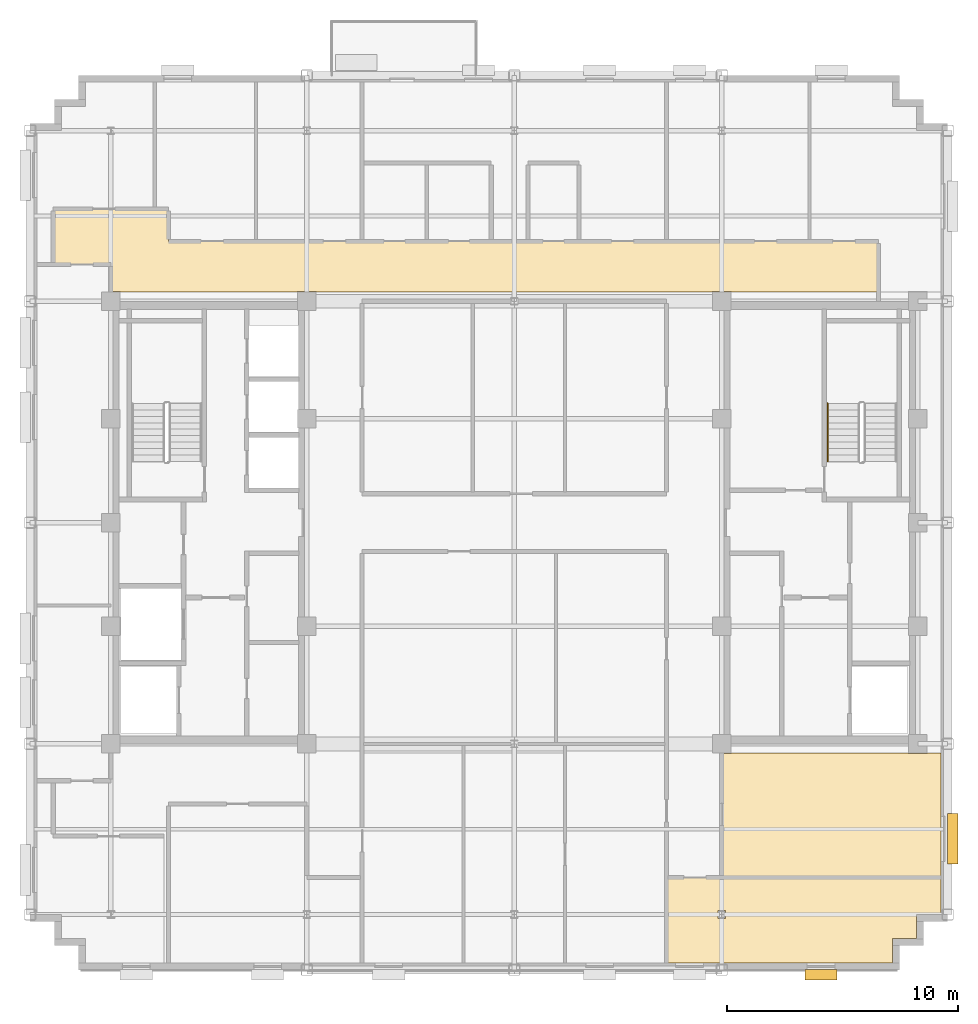
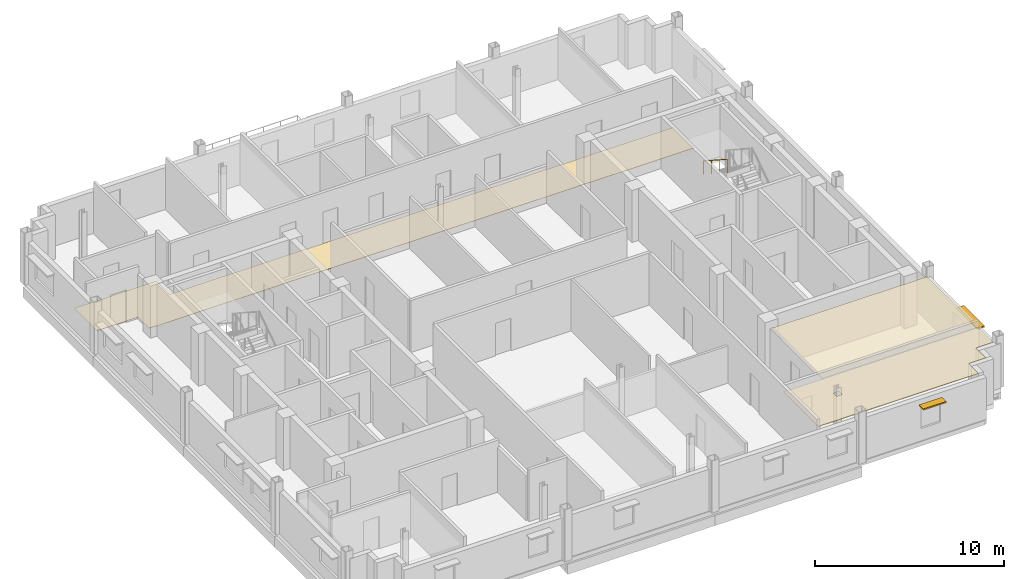
# One storey, part 12 of 14: 3 coverings, 2 shading devices, 1 railing.
"""IFC4 building model written with IfcOpenShell, lengths in metres."""

from ifc_helpers import new_model, si_unit, direction, frame, origin, origin_2d, place, context, subcontext, project, spatial, polyline, rectangle, circle, outline, extrude, source, transform, mapped, material, layer, layer_set, type_object, type_shapes, element, save


model = new_model("IFC4")

# Units and contexts
model_context = context("Model", 3, precision=1e-05, world=origin(), true_north=direction((0.0, 1.0)))
body_context = subcontext(model_context, "Body", "Model", "MODEL_VIEW")
ifc_project = project(units=[si_unit("LENGTHUNIT", "METRE"), si_unit("AREAUNIT", "SQUARE_METRE"), si_unit("VOLUMEUNIT", "CUBIC_METRE"), si_unit("PLANEANGLEUNIT", "RADIAN"), si_unit("MASSUNIT", "GRAM", prefix="KILO")], contexts=[model_context])

# Site, building, storey
site_placement = place(None, origin())
site = spatial("IfcSite", under=ifc_project, at=site_placement, CompositionType="ELEMENT")
building_placement = place(site_placement, origin())
building = spatial("IfcBuilding", under=site, at=building_placement, Name="Nuvemarco Arch Tower", CompositionType="ELEMENT")
storey_placement = place(building_placement, frame((0.0, 0.0, 272.550048828125)))
storey = spatial("IfcBuildingStorey", under=building, at=storey_placement, Name="L72", CompositionType="ELEMENT", Elevation=272.550048828125)

# Coverings
ifc_material_1 = material(Name="Mineral acoustic ceiling tile")
ifc_layer_1 = layer(ifc_material_1, 0.0400390625, Name="COV-ACOUSTIC-CLG")
ifc_layer_set_1 = layer_set([ifc_layer_1], Name="Mineral acoustic ceiling tile")
covering_type_1 = type_object("IfcCoveringType", Name="COV-ACOUSTIC-CLG", PredefinedType="CEILING", material=ifc_layer_set_1)
covering_1_placement = place(storey_placement, frame((0.0, 0.0, 2.849853515625)))
element("IfcCovering", 1, at=covering_1_placement, inside=storey, type_object=covering_type_1, Name="L72 suspended acoustic ceiling 2", PredefinedType="CEILING", context=body_context, shape_type="SweptSolid", body=[
    extrude(outline(polyline([(17.0849609375, -10.014892578125), (17.9150390625, -10.014892578125), (17.9150390625, -10.0), (18.5, -10.0), (18.5, -15.39990234375), (9.0, -15.39990234375), (9.0, -10.014892578125), (9.4150390625, -10.014892578125), (9.4150390625, -10.0), (17.0849609375, -10.0), (17.0849609375, -10.014892578125)])), origin(), (0.0, 0.0, 1.0), 0.0400390625),
])
covering_2_placement = place(storey_placement, frame((0.0, 0.0, 2.849853515625)))
element("IfcCovering", 2, at=covering_2_placement, inside=storey, type_object=covering_type_1, Name="L72 suspended acoustic ceiling 7", PredefinedType="CEILING", context=body_context, shape_type="SweptSolid", body=[
    extrude(outline(polyline([(16.39990234375, -19.10009765625), (6.60009765625, -19.10009765625), (6.60009765625, -15.39990234375), (9.0, -15.39990234375), (18.5, -15.39990234375), (18.5, -17.0), (17.449951171875, -17.0), (17.449951171875, -18.050048828125), (16.39990234375, -18.050048828125), (16.39990234375, -19.10009765625)]), holes=[polyline([(9.169921875, -17.169921875), (9.169921875, -16.830078125), (8.830078125, -16.830078125), (8.830078125, -17.169921875), (9.169921875, -17.169921875)])]), origin(), (0.0, 0.0, 1.0), 0.0400390625),
])
ifc_material_2 = material(Name="Polished granite terrazzostone flooring", Category="masonry")
ifc_layer_2 = layer(ifc_material_2, 0.02001953125, Name="COV-LOBBY-FLR")
ifc_layer_set_2 = layer_set([ifc_layer_2], Name="Polished granite terrazzostone flooring")
covering_type_2 = type_object("IfcCoveringType", Name="COV-LOBBY-FLR", PredefinedType="FLOORING", material=ifc_layer_set_2)
covering_3_placement = place(storey_placement, origin())
element("IfcCovering", 3, at=covering_3_placement, inside=storey, type_object=covering_type_2, Name="L72 polished terrazzo lobby flooring", PredefinedType="FLOORING", context=body_context, shape_type="SweptSolid", body=[
    extrude(outline(polyline([(-8.5849609375, 10.014892578125), (-9.4150390625, 10.014892578125), (-9.4150390625, 10.0), (-17.0849609375, 10.0), (-17.0849609375, 10.014892578125), (-17.5, 10.014892578125), (-17.5, 11.199951171875), (-20.0, 11.199951171875), (-20.0, 13.60009765625), (-15.0, 13.60009765625), (-15.0, 12.199951171875), (-9.0, 12.199951171875), (-6.60009765625, 12.199951171875), (6.60009765625, 12.199951171875), (9.0, 12.199951171875), (15.800048828125, 12.199951171875), (15.800048828125, 10.0), (9.4150390625, 10.0), (9.4150390625, 10.014892578125), (8.5849609375, 10.014892578125), (8.5849609375, 10.0), (-8.5849609375, 10.0), (-8.5849609375, 10.014892578125)])), origin(), (0.0, 0.0, 1.0), 0.02001953125),
])

# Railing
ifc_material_3 = material(Name="Brushed stainless steel handrail", Category="steel")
railing_type = type_object("IfcRailingType", Name="RL-HANDRAIL-900", PredefinedType="HANDRAIL", material=ifc_material_3)
railing_placement = place(storey_placement, frame((13.590087890625, 5.169921875, 2.007568359375)))
element("IfcRailing", 4, at=railing_placement, inside=storey, type_object=railing_type, Name="L72 ST-2 stair handrail 2", PredefinedType="HANDRAIL", context=body_context, shape_type="SweptSolid", body=[
    extrude(circle(Radius=0.02392578125, at=origin_2d()), frame((0.0, 0.0, 0.8759765625), z_axis=(0.0, -0.837786554691, 0.545997883492), x_axis=(1.0, 0.0, 0.0)), (0.0, 0.0, 1.0), 3.008056640625),
    extrude(circle(Radius=0.02099609375, at=origin_2d()), origin(), (0.0, 0.0, 1.0), 0.851806640625),
    extrude(circle(Radius=0.02099609375, at=origin_2d()), frame((0.0, -0.840087890625, 0.54736328125)), (0.0, 0.0, 1.0), 0.851806640625),
    extrude(circle(Radius=0.02099609375, at=origin_2d()), frame((0.0, -1.679931640625, 1.094970703125)), (0.0, 0.0, 1.0), 0.851806640625),
    extrude(circle(Radius=0.02099609375, at=origin_2d()), frame((0.0, -2.52001953125, 1.642333984375)), (0.0, 0.0, 1.0), 0.851806640625),
])

# Shading devices
ifc_material_4 = material(Name="Anodised aluminium 6063-T6", Category="aluminium")
shading_device_type_1 = type_object("IfcShadingDeviceType", Name="SHD-BRISE-SOLEIL", PredefinedType="USERDEFINED", material=ifc_material_4)
shared_shape_1 = source(origin(), body_context, "Body", "SweptSolid", [
    extrude(rectangle(XDim=2.199951171875, YDim=0.449951171875, at=origin_2d()), origin(), (0.0, 0.0, 1.0), 0.080078125),
])
type_shapes(shading_device_type_1, [shared_shape_1])
shading_device_1_placement = place(storey_placement, frame((19.014892578125, -13.7177734375, 2.284912109375), z_axis=(0.0, 0.0, 1.0), x_axis=(0.0, 1.0, 0.0)))
element("IfcShadingDevice", 5, at=shading_device_1_placement, inside=storey, type_object=shading_device_type_1, Name="L72 horizontal brise-soleil sunshade", ObjectType="SUNSHADE", PredefinedType="USERDEFINED", context=body_context, shape_type="MappedRepresentation", body=[
    mapped(shared_shape_1, transform((0.0, 0.0, 0.0), scale=1.0)),
])
shading_device_type_2 = type_object("IfcShadingDeviceType", Name="SHD-BRISE-NARROW", PredefinedType="USERDEFINED", material=ifc_material_4)
shared_shape_2 = source(origin(), body_context, "Body", "SweptSolid", [
    extrude(rectangle(XDim=1.39990234375, YDim=0.449951171875, at=origin_2d()), origin(), (0.0, 0.0, 1.0), 0.080078125),
])
type_shapes(shading_device_type_2, [shared_shape_2])
shading_device_2_placement = place(storey_placement, frame((13.300048828125, -19.614990234375, 2.284912109375), z_axis=(0.0, 0.0, 1.0), x_axis=(1.0, 0.0, 0.0)))
element("IfcShadingDevice", 6, at=shading_device_2_placement, inside=storey, type_object=shading_device_type_2, Name="L72 horizontal brise-soleil sunshade", ObjectType="SUNSHADE", PredefinedType="USERDEFINED", context=body_context, shape_type="MappedRepresentation", body=[
    mapped(shared_shape_2, transform((0.0, 0.0, 0.0), scale=1.0)),
])

save(model, "model.ifc")
